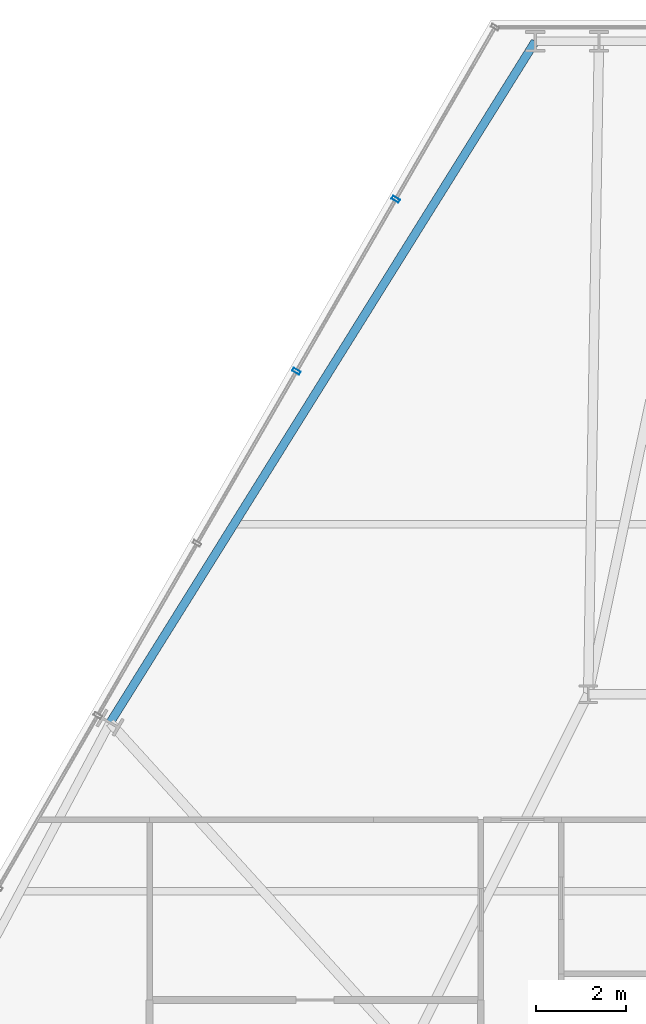
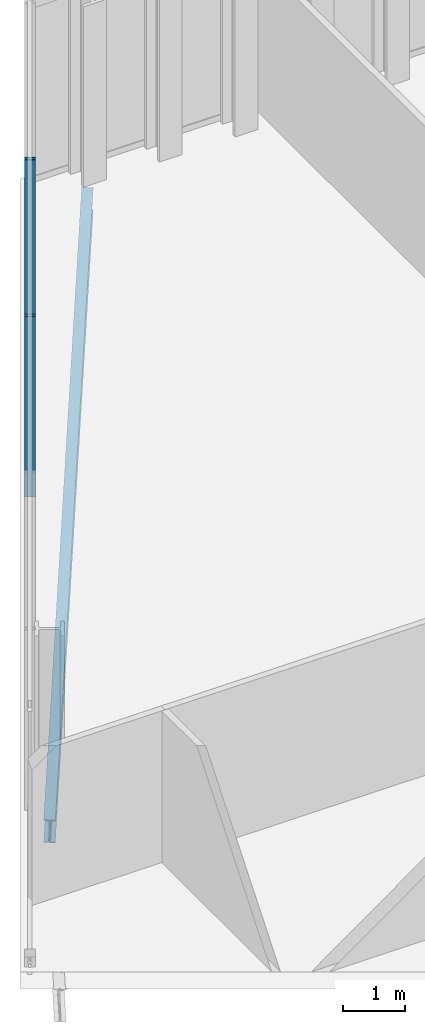
# One storey, part 20 of 31: 2 members, 1 beam, 1 element without a shape of its own.
"""IFC4 building model written with IfcOpenShell, lengths in metres."""

from ifc_helpers import new_model, si_unit, direction, frame, origin, origin_2d, place, context, subcontext, project, spatial, hollow_rectangle, i_section, extrude, material, layer, layer_set, material_profile, profile_set, type_object, element, aggregate, save


model = new_model("IFC4")

# Units and contexts
model_context = context("Model", 3, precision=1e-05, world=origin(), true_north=direction((0.0, 1.0)))
body_context = subcontext(model_context, "Body", "Model", "MODEL_VIEW")
ifc_project = project(units=[si_unit("LENGTHUNIT", "METRE"), si_unit("AREAUNIT", "SQUARE_METRE"), si_unit("VOLUMEUNIT", "CUBIC_METRE"), si_unit("PLANEANGLEUNIT", "RADIAN"), si_unit("MASSUNIT", "GRAM", prefix="KILO")], contexts=[model_context])

# Site, building, storey
site_placement = place(None, origin())
site = spatial("IfcSite", under=ifc_project, at=site_placement, CompositionType="ELEMENT")
building_placement = place(site_placement, origin())
building = spatial("IfcBuilding", under=site, at=building_placement, Name="Ndaravel Arena Tower", CompositionType="ELEMENT")
storey_placement = place(building_placement, frame((0.0, 0.0, 142.199951171875)))
storey = spatial("IfcBuildingStorey", under=building, at=storey_placement, Name="L33", CompositionType="ELEMENT", Elevation=142.199951171875)

# Beam
ifc_material_1 = material(Name="Steel S355", Category="steel")
ifc_material_profile_1 = material_profile(ifc_material_1, i_section(OverallWidth=0.18994140625, OverallDepth=0.449951171875, WebThickness=0.009521484375, FlangeThickness=0.0146484375, FilletRadius=0.02099609375, at=origin_2d()), Name="IPE 450")
ifc_profile_set_1 = profile_set([ifc_material_profile_1], Name="Steel S355")
beam_type = type_object("IfcBeamType", Name="BM-SPAN-IPE450", PredefinedType="SPANDREL", material=ifc_profile_set_1)
beam_placement = place(storey_placement, frame((37.01708984375, 45.784912109375, -0.445068359375), z_axis=(-0.529460656286, -0.848334493844, 0.0), x_axis=(0.848334493844, -0.529460656286, 0.0)))
element("IfcBeam", 1, at=beam_placement, inside=storey, type_object=beam_type, Name="L33 Perimeter Spandrel Beam SP-18", PredefinedType="SPANDREL", context=body_context, shape_type="SweptSolid", body=[
    extrude(i_section(OverallWidth=0.18994140625, OverallDepth=0.449951171875, WebThickness=0.009521484375, FlangeThickness=0.0146484375, FilletRadius=0.02099609375, at=origin_2d()), origin(), (0.0, 0.0, 1.0), 17.94189453125),
])

# Curtain wall, members
ifc_material_2 = material(Name="Aluminium", Category="aluminium")
ifc_layer = layer(ifc_material_2, 0.179931640625)
ifc_layer_set = layer_set([ifc_layer], Name="Aluminium")
curtain_wall_type = type_object("IfcCurtainWallType", Name="CW-SYS-03", PredefinedType="NOTDEFINED", material=ifc_layer_set)
curtain_wall_placement = place(storey_placement, origin())
curtain_wall = element("IfcCurtainWall", 2, at=curtain_wall_placement, inside=storey, type_object=curtain_wall_type, Name="L33 Faceted Crystal Curtain Wall CW-L33-E05", PredefinedType="NOTDEFINED")
ifc_material_3 = material(Name="Aluminium", Category="aluminium")
ifc_material_profile_2 = material_profile(ifc_material_3, hollow_rectangle(XDim=0.074951171875, YDim=0.179931640625, WallThickness=0.00390625, at=origin_2d()), Name="CW MULLION 75x180x4")
ifc_profile_set_2 = profile_set([ifc_material_profile_2], Name="Aluminium")
member_type = type_object("IfcMemberType", Name="MEM-CW-MUL180", PredefinedType="MULLION", material=ifc_profile_set_2)
member_1_placement = place(storey_placement, frame((33.900634765625, 42.259765625, 0.0), z_axis=(0.0, 0.0, 1.0), x_axis=(-0.5, -0.866025403784, 0.0)))
member_1 = element("IfcMember", 3, at=member_1_placement, type_object=member_type, Name="CW-L33-E05 Mullion 01", PredefinedType="MULLION", context=body_context, shape_type="SweptSolid", body=[
    extrude(hollow_rectangle(XDim=0.074951171875, YDim=0.179931640625, WallThickness=0.00390625, at=origin_2d()), origin(), (0.0, 0.0, 1.0), 3.580078125),
])
member_2_placement = place(storey_placement, frame((31.6806640625, 38.41455078125, 0.0), z_axis=(0.0, 0.0, 1.0), x_axis=(-0.5, -0.866025403784, 0.0)))
member_2 = element("IfcMember", 4, at=member_2_placement, type_object=member_type, Name="CW-L33-E05 Mullion 02", PredefinedType="MULLION", context=body_context, shape_type="SweptSolid", body=[
    extrude(hollow_rectangle(XDim=0.074951171875, YDim=0.179931640625, WallThickness=0.00390625, at=origin_2d()), origin(), (0.0, 0.0, 1.0), 3.580078125),
])
aggregate(curtain_wall, [member_1, member_2])

save(model, "model.ifc")
